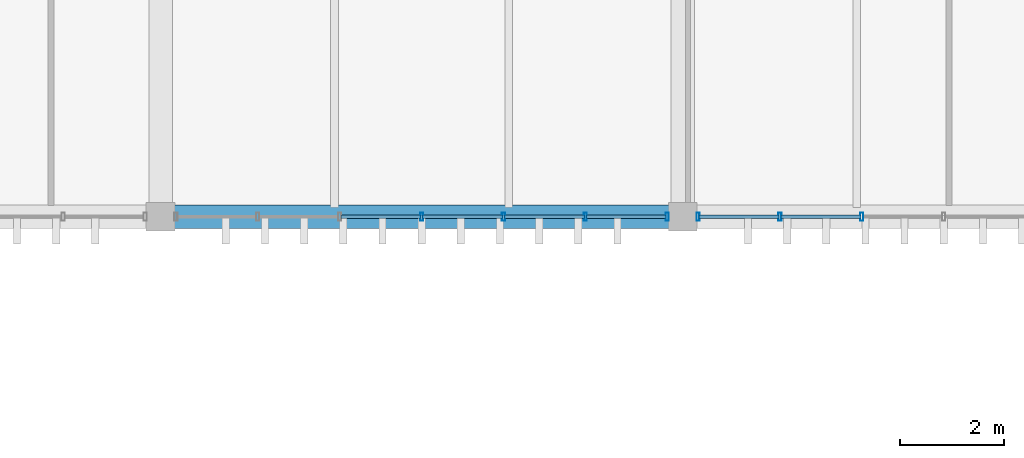
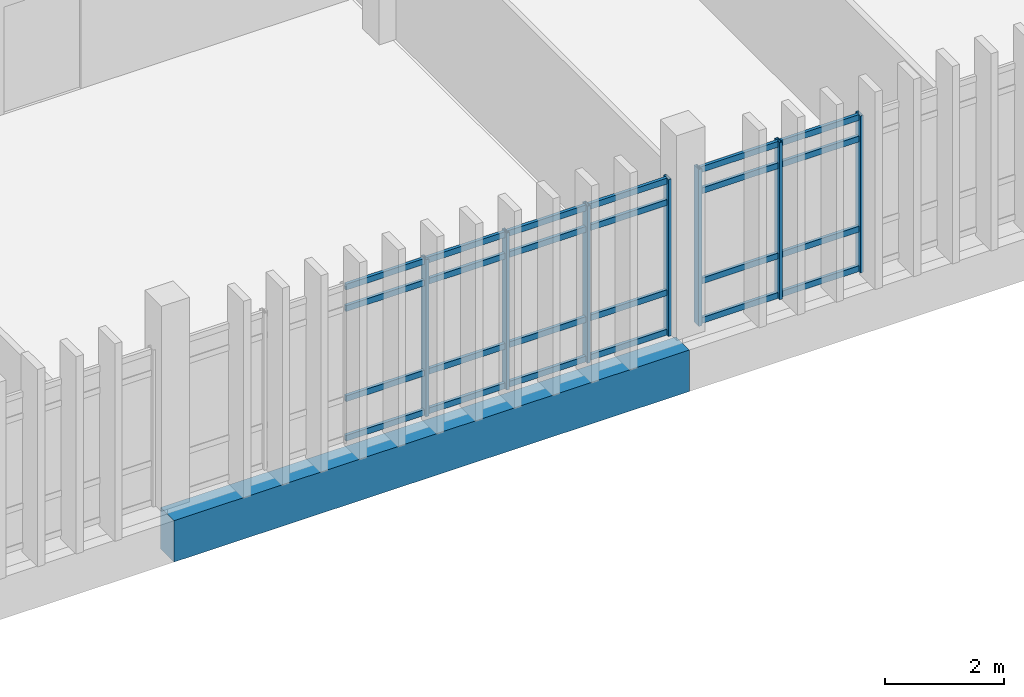
# One storey, part 8 of 29: 31 members, 1 beam, 2 elements without a shape of their own.
"""IFC4 building model written with IfcOpenShell, lengths in metres."""

from ifc_helpers import new_model, si_unit, direction, frame, origin, origin_2d, place, context, subcontext, project, spatial, rectangle, hollow_rectangle, extrude, material, layer, layer_set, material_profile, profile_set, type_object, element, aggregate, save


model = new_model("IFC4")

# Units and contexts
model_context = context("Model", 3, precision=1e-05, world=origin(), true_north=direction((0.0, 1.0)))
body_context = subcontext(model_context, "Body", "Model", "MODEL_VIEW")
ifc_project = project(units=[si_unit("LENGTHUNIT", "METRE"), si_unit("AREAUNIT", "SQUARE_METRE"), si_unit("VOLUMEUNIT", "CUBIC_METRE"), si_unit("PLANEANGLEUNIT", "RADIAN"), si_unit("MASSUNIT", "GRAM", prefix="KILO")], contexts=[model_context])

# Site, building, storey
site_placement = place(None, origin())
site = spatial("IfcSite", under=ifc_project, at=site_placement, CompositionType="ELEMENT")
building_placement = place(site_placement, origin())
building = spatial("IfcBuilding", under=site, at=building_placement, Name="Mersad Railyard Sports Hall", CompositionType="ELEMENT")
storey_placement = place(building_placement, frame((0.0, 0.0, 17.39990234375)))
storey = spatial("IfcBuildingStorey", under=building, at=storey_placement, Name="L04", CompositionType="ELEMENT", Elevation=17.39990234375)

# Curtain wall, members
ifc_material_1 = material(Name="Aluminium 6063-T6", Category="aluminium")
ifc_layer = layer(ifc_material_1, 0.159912109375)
ifc_layer_set = layer_set([ifc_layer], Name="Aluminium 6063-T6")
curtain_wall_type = type_object("IfcCurtainWallType", Name="ARC-CW-CW65", PredefinedType="USERDEFINED", material=ifc_layer_set)
curtain_wall_1_placement = place(storey_placement, origin())
curtain_wall_1 = element("IfcCurtainWall", 1, at=curtain_wall_1_placement, inside=storey, type_object=curtain_wall_type, Name="Curtain wall CW65-0169", ObjectType="CURTAIN WALL", PredefinedType="USERDEFINED")
ifc_material_profile_1 = material_profile(ifc_material_1, hollow_rectangle(XDim=0.06005859375, YDim=0.159912109375, WallThickness=0.00390625, at=origin_2d()), Name="AL MULLION 60x160x4")
ifc_profile_set_1 = profile_set([ifc_material_profile_1], Name="Aluminium 6063-T6")
member_type_1 = type_object("IfcMemberType", Name="ARC-CW-MUL01", PredefinedType="MULLION", material=ifc_profile_set_1)
member_1_placement = place(storey_placement, frame((110.705078125, 85.0, -0.02001953125), z_axis=(0.0, 0.0, 1.0), x_axis=(1.0, 0.0, 0.0)))
member_1 = element("IfcMember", 2, at=member_1_placement, type_object=member_type_1, Name="CW65 Mullion 1", PredefinedType="MULLION", context=body_context, shape_type="SweptSolid", body=[
    extrude(hollow_rectangle(XDim=0.06005859375, YDim=0.159912109375, WallThickness=0.00390625, at=origin_2d()), origin(), (0.0, 0.0, 1.0), 3.22021484375),
])
member_2_placement = place(storey_placement, frame((109.13671875, 85.0, -0.02001953125), z_axis=(0.0, 0.0, 1.0), x_axis=(1.0, 0.0, 0.0)))
member_2 = element("IfcMember", 3, at=member_2_placement, type_object=member_type_1, Name="CW65 Mullion 2", PredefinedType="MULLION", context=body_context, shape_type="SweptSolid", body=[
    extrude(hollow_rectangle(XDim=0.06005859375, YDim=0.159912109375, WallThickness=0.00390625, at=origin_2d()), origin(), (0.0, 0.0, 1.0), 3.22021484375),
])
member_3_placement = place(storey_placement, frame((107.568359375, 85.0, -0.02001953125), z_axis=(0.0, 0.0, 1.0), x_axis=(1.0, 0.0, 0.0)))
member_3 = element("IfcMember", 4, at=member_3_placement, type_object=member_type_1, Name="CW65 Mullion 3", PredefinedType="MULLION", context=body_context, shape_type="SweptSolid", body=[
    extrude(hollow_rectangle(XDim=0.06005859375, YDim=0.159912109375, WallThickness=0.00390625, at=origin_2d()), origin(), (0.0, 0.0, 1.0), 3.22021484375),
])
member_4_placement = place(storey_placement, frame((106.0, 85.0, -0.02001953125), z_axis=(0.0, 0.0, 1.0), x_axis=(1.0, 0.0, 0.0)))
member_4 = element("IfcMember", 5, at=member_4_placement, type_object=member_type_1, Name="CW65 Mullion 4", PredefinedType="MULLION", context=body_context, shape_type="SweptSolid", body=[
    extrude(hollow_rectangle(XDim=0.06005859375, YDim=0.159912109375, WallThickness=0.00390625, at=origin_2d()), origin(), (0.0, 0.0, 1.0), 3.22021484375),
])

curtain_wall_2_placement = place(storey_placement, origin())
curtain_wall_2 = element("IfcCurtainWall", 6, at=curtain_wall_2_placement, inside=storey, type_object=curtain_wall_type, Name="Curtain wall CW65-0170", ObjectType="CURTAIN WALL", PredefinedType="USERDEFINED")
member_5_placement = place(storey_placement, frame((114.431640625, 85.0, -0.02001953125), z_axis=(0.0, 0.0, 1.0), x_axis=(1.0, 0.0, 0.0)))
member_5 = element("IfcMember", 7, at=member_5_placement, type_object=member_type_1, Name="CW65 Mullion 5", PredefinedType="MULLION", context=body_context, shape_type="SweptSolid", body=[
    extrude(hollow_rectangle(XDim=0.06005859375, YDim=0.159912109375, WallThickness=0.00390625, at=origin_2d()), origin(), (0.0, 0.0, 1.0), 3.22021484375),
])
member_6_placement = place(storey_placement, frame((112.86328125, 85.0, -0.02001953125), z_axis=(0.0, 0.0, 1.0), x_axis=(1.0, 0.0, 0.0)))
member_6 = element("IfcMember", 8, at=member_6_placement, type_object=member_type_1, Name="CW65 Mullion 6", PredefinedType="MULLION", context=body_context, shape_type="SweptSolid", body=[
    extrude(hollow_rectangle(XDim=0.06005859375, YDim=0.159912109375, WallThickness=0.00390625, at=origin_2d()), origin(), (0.0, 0.0, 1.0), 3.22021484375),
])
member_7_placement = place(storey_placement, frame((111.294921875, 85.0, -0.02001953125), z_axis=(0.0, 0.0, 1.0), x_axis=(1.0, 0.0, 0.0)))
member_7 = element("IfcMember", 9, at=member_7_placement, type_object=member_type_1, Name="CW65 Mullion 7", PredefinedType="MULLION", context=body_context, shape_type="SweptSolid", body=[
    extrude(hollow_rectangle(XDim=0.06005859375, YDim=0.159912109375, WallThickness=0.00390625, at=origin_2d()), origin(), (0.0, 0.0, 1.0), 3.22021484375),
])

# Member
ifc_material_profile_2 = material_profile(ifc_material_1, hollow_rectangle(XDim=0.06005859375, YDim=0.1201171875, WallThickness=0.00390625, at=origin_2d()), Name="AL TRANSOM 60x120x4")
ifc_profile_set_2 = profile_set([ifc_material_profile_2], Name="Aluminium 6063-T6")
member_type_2 = type_object("IfcMemberType", Name="ARC-CW-TRN01", PredefinedType="USERDEFINED", material=ifc_profile_set_2)
member_8_placement = place(storey_placement, frame((110.68505859375, 85.0, 0.0400390625), z_axis=(-1.0, 0.0, 0.0), x_axis=(0.0, -1.0, 0.0)))
member_8 = element("IfcMember", 10, at=member_8_placement, type_object=member_type_2, Name="CW65 Transom 1-1", ObjectType="TRANSOM", PredefinedType="USERDEFINED", context=body_context, shape_type="SweptSolid", body=[
    extrude(hollow_rectangle(XDim=0.06005859375, YDim=0.1201171875, WallThickness=0.00390625, at=origin_2d()), origin(), (0.0, 0.0, 1.0), 1.5283203125),
])

member_9_placement = place(storey_placement, frame((109.11669921875, 85.0, 0.0400390625), z_axis=(-1.0, 0.0, 0.0), x_axis=(0.0, -1.0, 0.0)))
member_9 = element("IfcMember", 11, at=member_9_placement, type_object=member_type_2, Name="CW65 Transom 1-2", ObjectType="TRANSOM", PredefinedType="USERDEFINED", context=body_context, shape_type="SweptSolid", body=[
    extrude(hollow_rectangle(XDim=0.06005859375, YDim=0.1201171875, WallThickness=0.00390625, at=origin_2d()), origin(), (0.0, 0.0, 1.0), 1.5283203125),
])

member_10_placement = place(storey_placement, frame((107.54833984375, 85.0, 0.0400390625), z_axis=(-1.0, 0.0, 0.0), x_axis=(0.0, -1.0, 0.0)))
member_10 = element("IfcMember", 12, at=member_10_placement, type_object=member_type_2, Name="CW65 Transom 1-3", ObjectType="TRANSOM", PredefinedType="USERDEFINED", context=body_context, shape_type="SweptSolid", body=[
    extrude(hollow_rectangle(XDim=0.06005859375, YDim=0.1201171875, WallThickness=0.00390625, at=origin_2d()), origin(), (0.0, 0.0, 1.0), 1.5283203125),
])

member_11_placement = place(storey_placement, frame((105.97998046875, 85.0, 0.0400390625), z_axis=(-1.0, 0.0, 0.0), x_axis=(0.0, -1.0, 0.0)))
member_11 = element("IfcMember", 13, at=member_11_placement, type_object=member_type_2, Name="CW65 Transom 1-4", ObjectType="TRANSOM", PredefinedType="USERDEFINED", context=body_context, shape_type="SweptSolid", body=[
    extrude(hollow_rectangle(XDim=0.06005859375, YDim=0.1201171875, WallThickness=0.00390625, at=origin_2d()), origin(), (0.0, 0.0, 1.0), 1.5283203125),
])

member_12_placement = place(storey_placement, frame((110.68505859375, 85.0, 0.85009765625), z_axis=(-1.0, 0.0, 0.0), x_axis=(0.0, -1.0, 0.0)))
member_12 = element("IfcMember", 14, at=member_12_placement, type_object=member_type_2, Name="CW65 Transom 2-1", ObjectType="TRANSOM", PredefinedType="USERDEFINED", context=body_context, shape_type="SweptSolid", body=[
    extrude(hollow_rectangle(XDim=0.06005859375, YDim=0.1201171875, WallThickness=0.00390625, at=origin_2d()), origin(), (0.0, 0.0, 1.0), 1.5283203125),
])

member_13_placement = place(storey_placement, frame((109.11669921875, 85.0, 0.85009765625), z_axis=(-1.0, 0.0, 0.0), x_axis=(0.0, -1.0, 0.0)))
member_13 = element("IfcMember", 15, at=member_13_placement, type_object=member_type_2, Name="CW65 Transom 2-2", ObjectType="TRANSOM", PredefinedType="USERDEFINED", context=body_context, shape_type="SweptSolid", body=[
    extrude(hollow_rectangle(XDim=0.06005859375, YDim=0.1201171875, WallThickness=0.00390625, at=origin_2d()), origin(), (0.0, 0.0, 1.0), 1.5283203125),
])

member_14_placement = place(storey_placement, frame((107.54833984375, 85.0, 0.85009765625), z_axis=(-1.0, 0.0, 0.0), x_axis=(0.0, -1.0, 0.0)))
member_14 = element("IfcMember", 16, at=member_14_placement, type_object=member_type_2, Name="CW65 Transom 2-3", ObjectType="TRANSOM", PredefinedType="USERDEFINED", context=body_context, shape_type="SweptSolid", body=[
    extrude(hollow_rectangle(XDim=0.06005859375, YDim=0.1201171875, WallThickness=0.00390625, at=origin_2d()), origin(), (0.0, 0.0, 1.0), 1.5283203125),
])

member_15_placement = place(storey_placement, frame((105.97998046875, 85.0, 0.85009765625), z_axis=(-1.0, 0.0, 0.0), x_axis=(0.0, -1.0, 0.0)))
member_15 = element("IfcMember", 17, at=member_15_placement, type_object=member_type_2, Name="CW65 Transom 2-4", ObjectType="TRANSOM", PredefinedType="USERDEFINED", context=body_context, shape_type="SweptSolid", body=[
    extrude(hollow_rectangle(XDim=0.06005859375, YDim=0.1201171875, WallThickness=0.00390625, at=origin_2d()), origin(), (0.0, 0.0, 1.0), 1.5283203125),
])

member_16_placement = place(storey_placement, frame((110.68505859375, 85.0, 2.7001953125), z_axis=(-1.0, 0.0, 0.0), x_axis=(0.0, -1.0, 0.0)))
member_16 = element("IfcMember", 18, at=member_16_placement, type_object=member_type_2, Name="CW65 Transom 3-1", ObjectType="TRANSOM", PredefinedType="USERDEFINED", context=body_context, shape_type="SweptSolid", body=[
    extrude(hollow_rectangle(XDim=0.06005859375, YDim=0.1201171875, WallThickness=0.00390625, at=origin_2d()), origin(), (0.0, 0.0, 1.0), 1.5283203125),
])

member_17_placement = place(storey_placement, frame((109.11669921875, 85.0, 2.7001953125), z_axis=(-1.0, 0.0, 0.0), x_axis=(0.0, -1.0, 0.0)))
member_17 = element("IfcMember", 19, at=member_17_placement, type_object=member_type_2, Name="CW65 Transom 3-2", ObjectType="TRANSOM", PredefinedType="USERDEFINED", context=body_context, shape_type="SweptSolid", body=[
    extrude(hollow_rectangle(XDim=0.06005859375, YDim=0.1201171875, WallThickness=0.00390625, at=origin_2d()), origin(), (0.0, 0.0, 1.0), 1.5283203125),
])

member_18_placement = place(storey_placement, frame((107.54833984375, 85.0, 2.7001953125), z_axis=(-1.0, 0.0, 0.0), x_axis=(0.0, -1.0, 0.0)))
member_18 = element("IfcMember", 20, at=member_18_placement, type_object=member_type_2, Name="CW65 Transom 3-3", ObjectType="TRANSOM", PredefinedType="USERDEFINED", context=body_context, shape_type="SweptSolid", body=[
    extrude(hollow_rectangle(XDim=0.06005859375, YDim=0.1201171875, WallThickness=0.00390625, at=origin_2d()), origin(), (0.0, 0.0, 1.0), 1.5283203125),
])

member_19_placement = place(storey_placement, frame((105.97998046875, 85.0, 2.7001953125), z_axis=(-1.0, 0.0, 0.0), x_axis=(0.0, -1.0, 0.0)))
member_19 = element("IfcMember", 21, at=member_19_placement, type_object=member_type_2, Name="CW65 Transom 3-4", ObjectType="TRANSOM", PredefinedType="USERDEFINED", context=body_context, shape_type="SweptSolid", body=[
    extrude(hollow_rectangle(XDim=0.06005859375, YDim=0.1201171875, WallThickness=0.00390625, at=origin_2d()), origin(), (0.0, 0.0, 1.0), 1.5283203125),
])

member_20_placement = place(storey_placement, frame((110.68505859375, 85.0, 3.14013671875), z_axis=(-1.0, 0.0, 0.0), x_axis=(0.0, -1.0, 0.0)))
member_20 = element("IfcMember", 22, at=member_20_placement, type_object=member_type_2, Name="CW65 Transom 4-1", ObjectType="TRANSOM", PredefinedType="USERDEFINED", context=body_context, shape_type="SweptSolid", body=[
    extrude(hollow_rectangle(XDim=0.06005859375, YDim=0.1201171875, WallThickness=0.00390625, at=origin_2d()), origin(), (0.0, 0.0, 1.0), 1.5283203125),
])

member_21_placement = place(storey_placement, frame((109.11669921875, 85.0, 3.14013671875), z_axis=(-1.0, 0.0, 0.0), x_axis=(0.0, -1.0, 0.0)))
member_21 = element("IfcMember", 23, at=member_21_placement, type_object=member_type_2, Name="CW65 Transom 4-2", ObjectType="TRANSOM", PredefinedType="USERDEFINED", context=body_context, shape_type="SweptSolid", body=[
    extrude(hollow_rectangle(XDim=0.06005859375, YDim=0.1201171875, WallThickness=0.00390625, at=origin_2d()), origin(), (0.0, 0.0, 1.0), 1.5283203125),
])

member_22_placement = place(storey_placement, frame((107.54833984375, 85.0, 3.14013671875), z_axis=(-1.0, 0.0, 0.0), x_axis=(0.0, -1.0, 0.0)))
member_22 = element("IfcMember", 24, at=member_22_placement, type_object=member_type_2, Name="CW65 Transom 4-3", ObjectType="TRANSOM", PredefinedType="USERDEFINED", context=body_context, shape_type="SweptSolid", body=[
    extrude(hollow_rectangle(XDim=0.06005859375, YDim=0.1201171875, WallThickness=0.00390625, at=origin_2d()), origin(), (0.0, 0.0, 1.0), 1.5283203125),
])

member_23_placement = place(storey_placement, frame((105.97998046875, 85.0, 3.14013671875), z_axis=(-1.0, 0.0, 0.0), x_axis=(0.0, -1.0, 0.0)))
member_23 = element("IfcMember", 25, at=member_23_placement, type_object=member_type_2, Name="CW65 Transom 4-4", ObjectType="TRANSOM", PredefinedType="USERDEFINED", context=body_context, shape_type="SweptSolid", body=[
    extrude(hollow_rectangle(XDim=0.06005859375, YDim=0.1201171875, WallThickness=0.00390625, at=origin_2d()), origin(), (0.0, 0.0, 1.0), 1.5283203125),
])

aggregate(curtain_wall_1, [member_1, member_2, member_3, member_4, member_8, member_9, member_10, member_11, member_12, member_13, member_14, member_15, member_16, member_17, member_18, member_19, member_20, member_21, member_22, member_23])

member_24_placement = place(storey_placement, frame((114.41162109375, 85.0, 0.0400390625), z_axis=(-1.0, 0.0, 0.0), x_axis=(0.0, -1.0, 0.0)))
member_24 = element("IfcMember", 26, at=member_24_placement, type_object=member_type_2, Name="CW65 Transom 1-5", ObjectType="TRANSOM", PredefinedType="USERDEFINED", context=body_context, shape_type="SweptSolid", body=[
    extrude(hollow_rectangle(XDim=0.06005859375, YDim=0.1201171875, WallThickness=0.00390625, at=origin_2d()), origin(), (0.0, 0.0, 1.0), 1.5283203125),
])

member_25_placement = place(storey_placement, frame((112.84326171875, 85.0, 0.0400390625), z_axis=(-1.0, 0.0, 0.0), x_axis=(0.0, -1.0, 0.0)))
member_25 = element("IfcMember", 27, at=member_25_placement, type_object=member_type_2, Name="CW65 Transom 1-6", ObjectType="TRANSOM", PredefinedType="USERDEFINED", context=body_context, shape_type="SweptSolid", body=[
    extrude(hollow_rectangle(XDim=0.06005859375, YDim=0.1201171875, WallThickness=0.00390625, at=origin_2d()), origin(), (0.0, 0.0, 1.0), 1.5283203125),
])

member_26_placement = place(storey_placement, frame((114.41162109375, 85.0, 0.85009765625), z_axis=(-1.0, 0.0, 0.0), x_axis=(0.0, -1.0, 0.0)))
member_26 = element("IfcMember", 28, at=member_26_placement, type_object=member_type_2, Name="CW65 Transom 2-5", ObjectType="TRANSOM", PredefinedType="USERDEFINED", context=body_context, shape_type="SweptSolid", body=[
    extrude(hollow_rectangle(XDim=0.06005859375, YDim=0.1201171875, WallThickness=0.00390625, at=origin_2d()), origin(), (0.0, 0.0, 1.0), 1.5283203125),
])

member_27_placement = place(storey_placement, frame((112.84326171875, 85.0, 0.85009765625), z_axis=(-1.0, 0.0, 0.0), x_axis=(0.0, -1.0, 0.0)))
member_27 = element("IfcMember", 29, at=member_27_placement, type_object=member_type_2, Name="CW65 Transom 2-6", ObjectType="TRANSOM", PredefinedType="USERDEFINED", context=body_context, shape_type="SweptSolid", body=[
    extrude(hollow_rectangle(XDim=0.06005859375, YDim=0.1201171875, WallThickness=0.00390625, at=origin_2d()), origin(), (0.0, 0.0, 1.0), 1.5283203125),
])

member_28_placement = place(storey_placement, frame((114.41162109375, 85.0, 2.7001953125), z_axis=(-1.0, 0.0, 0.0), x_axis=(0.0, -1.0, 0.0)))
member_28 = element("IfcMember", 30, at=member_28_placement, type_object=member_type_2, Name="CW65 Transom 3-5", ObjectType="TRANSOM", PredefinedType="USERDEFINED", context=body_context, shape_type="SweptSolid", body=[
    extrude(hollow_rectangle(XDim=0.06005859375, YDim=0.1201171875, WallThickness=0.00390625, at=origin_2d()), origin(), (0.0, 0.0, 1.0), 1.5283203125),
])

member_29_placement = place(storey_placement, frame((112.84326171875, 85.0, 2.7001953125), z_axis=(-1.0, 0.0, 0.0), x_axis=(0.0, -1.0, 0.0)))
member_29 = element("IfcMember", 31, at=member_29_placement, type_object=member_type_2, Name="CW65 Transom 3-6", ObjectType="TRANSOM", PredefinedType="USERDEFINED", context=body_context, shape_type="SweptSolid", body=[
    extrude(hollow_rectangle(XDim=0.06005859375, YDim=0.1201171875, WallThickness=0.00390625, at=origin_2d()), origin(), (0.0, 0.0, 1.0), 1.5283203125),
])

member_30_placement = place(storey_placement, frame((114.41162109375, 85.0, 3.14013671875), z_axis=(-1.0, 0.0, 0.0), x_axis=(0.0, -1.0, 0.0)))
member_30 = element("IfcMember", 32, at=member_30_placement, type_object=member_type_2, Name="CW65 Transom 4-5", ObjectType="TRANSOM", PredefinedType="USERDEFINED", context=body_context, shape_type="SweptSolid", body=[
    extrude(hollow_rectangle(XDim=0.06005859375, YDim=0.1201171875, WallThickness=0.00390625, at=origin_2d()), origin(), (0.0, 0.0, 1.0), 1.5283203125),
])

member_31_placement = place(storey_placement, frame((112.84326171875, 85.0, 3.14013671875), z_axis=(-1.0, 0.0, 0.0), x_axis=(0.0, -1.0, 0.0)))
member_31 = element("IfcMember", 33, at=member_31_placement, type_object=member_type_2, Name="CW65 Transom 4-6", ObjectType="TRANSOM", PredefinedType="USERDEFINED", context=body_context, shape_type="SweptSolid", body=[
    extrude(hollow_rectangle(XDim=0.06005859375, YDim=0.1201171875, WallThickness=0.00390625, at=origin_2d()), origin(), (0.0, 0.0, 1.0), 1.5283203125),
])

aggregate(curtain_wall_2, [member_5, member_6, member_7, member_24, member_25, member_26, member_27, member_28, member_29, member_30, member_31])

# Beam
ifc_material_2 = material(Name="Concrete C40/50", Category="concrete")
ifc_material_profile_3 = material_profile(ifc_material_2, rectangle(XDim=0.449951171875, YDim=0.85009765625, at=origin_2d()), Name="RC 450x850")
ifc_profile_set_3 = profile_set([ifc_material_profile_3], Name="Concrete C40/50")
beam_type = type_object("IfcBeamType", Name="STR-BM-B02", PredefinedType="BEAM", material=ifc_profile_set_3)
beam_placement = place(storey_placement, frame((101.0, 85.0, -0.744873046875), z_axis=(1.0, 0.0, 0.0), x_axis=(0.0, 1.0, 0.0)))
element("IfcBeam", 34, at=beam_placement, inside=storey, type_object=beam_type, Name="Beam B02-1318", PredefinedType="BEAM", context=body_context, shape_type="SweptSolid", body=[
    extrude(rectangle(XDim=0.449951171875, YDim=0.85009765625, at=origin_2d()), origin(), (0.0, 0.0, 1.0), 10.0),
])

save(model, "model.ifc")
